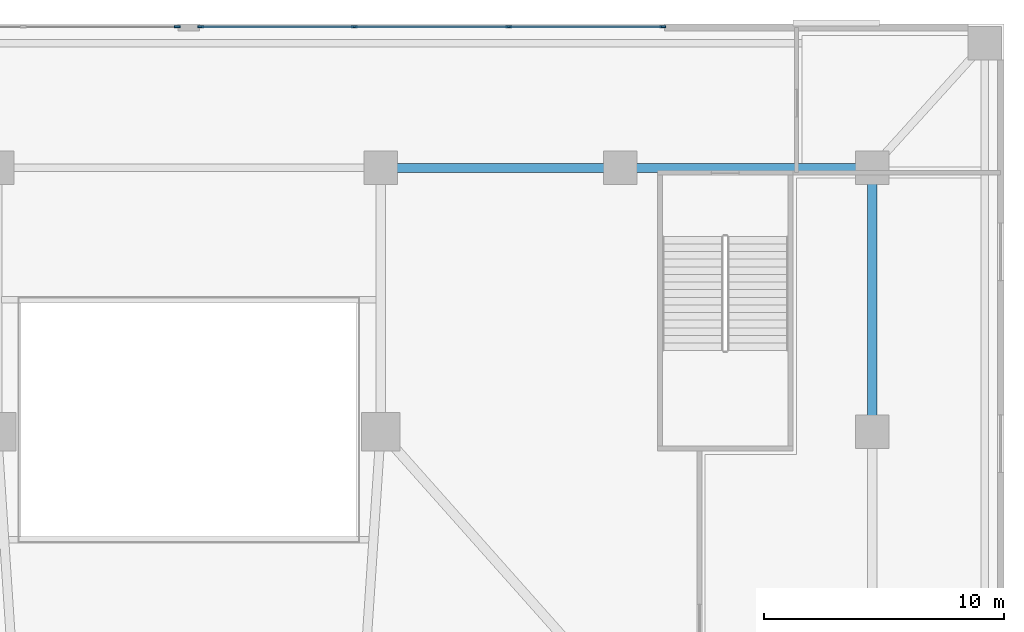
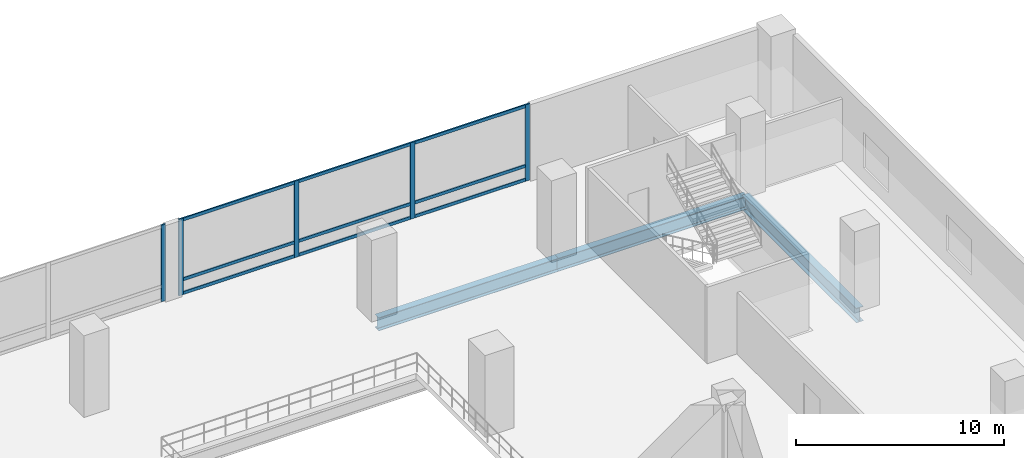
# One storey, part 4 of 15: 14 members, 3 beams, 2 elements without a shape of their own.
"""IFC4 building model written with IfcOpenShell, lengths in metres."""

from ifc_helpers import new_model, si_unit, direction, frame, origin, origin_2d, place, context, subcontext, project, spatial, rectangle, i_section, extrude, material, material_profile, profile_set, type_object, element, aggregate, save


model = new_model("IFC4")

# Units and contexts
model_context = context("Model", 3, precision=1e-05, world=origin(), true_north=direction((0.0, 1.0)))
body_context = subcontext(model_context, "Body", "Model", "MODEL_VIEW")
ifc_project = project(units=[si_unit("LENGTHUNIT", "METRE"), si_unit("AREAUNIT", "SQUARE_METRE"), si_unit("VOLUMEUNIT", "CUBIC_METRE"), si_unit("PLANEANGLEUNIT", "RADIAN"), si_unit("MASSUNIT", "GRAM", prefix="KILO")], contexts=[model_context])

# Site, building, storey
site_placement = place(None, origin())
site = spatial("IfcSite", under=ifc_project, at=site_placement, CompositionType="ELEMENT")
building_placement = place(site_placement, origin())
building = spatial("IfcBuilding", under=site, at=building_placement, Name="Solmavex Isthmus Hotel", CompositionType="ELEMENT")
storey_placement = place(building_placement, frame((0.0, 0.0, 11.39990234375)))
storey = spatial("IfcBuildingStorey", under=building, at=storey_placement, Name="L03", CompositionType="ELEMENT", Elevation=11.39990234375)

# Beams
ifc_material_1 = material(Name="Steel ASTM A992 Grade 50", Category="steel")
ifc_material_profile_1 = material_profile(ifc_material_1, i_section(OverallWidth=0.380615234375, OverallDepth=0.773193359375, WebThickness=0.0166015625, FlangeThickness=0.027099609375, FilletRadius=0.01904296875, at=origin_2d()), Name="W30X173")
ifc_profile_set_1 = profile_set([ifc_material_profile_1], Name="Steel ASTM A992 Grade 50")
beam_type_1 = type_object("IfcBeamType", Name="BM-BG-W30X173", PredefinedType="BEAM", material=ifc_profile_set_1)
beam_1_placement = place(storey_placement, frame((8.0, 17.5, -0.6865234375), z_axis=(1.0, 0.0, 0.0), x_axis=(0.0, 1.0, 0.0)))
element("IfcBeam", 1, at=beam_1_placement, inside=storey, type_object=beam_type_1, Name="Podium Primary Girder L03-G10", PredefinedType="BEAM", context=body_context, shape_type="SweptSolid", body=[
    extrude(i_section(OverallWidth=0.380615234375, OverallDepth=0.773193359375, WebThickness=0.0166015625, FlangeThickness=0.027099609375, FilletRadius=0.01904296875, at=origin_2d()), origin(), (0.0, 0.0, 1.0), 10.0),
])
beam_2_placement = place(storey_placement, frame((18.0, 17.5, -0.6865234375), z_axis=(1.0, 0.0, 0.0), x_axis=(0.0, 1.0, 0.0)))
element("IfcBeam", 2, at=beam_2_placement, inside=storey, type_object=beam_type_1, Name="Podium Primary Girder L03-G11", PredefinedType="BEAM", context=body_context, shape_type="SweptSolid", body=[
    extrude(i_section(OverallWidth=0.380615234375, OverallDepth=0.773193359375, WebThickness=0.0166015625, FlangeThickness=0.027099609375, FilletRadius=0.01904296875, at=origin_2d()), origin(), (0.0, 0.0, 1.0), 10.5),
])
ifc_material_profile_2 = material_profile(ifc_material_1, i_section(OverallWidth=0.39990234375, OverallDepth=0.85546875, WebThickness=0.018310546875, FlangeThickness=0.029296875, FilletRadius=0.020263671875, at=origin_2d()), Name="W33X201")
ifc_profile_set_2 = profile_set([ifc_material_profile_2], Name="Steel ASTM A992 Grade 50")
beam_type_2 = type_object("IfcBeamType", Name="BM-BG-W33X201", PredefinedType="BEAM", material=ifc_profile_set_2)
beam_3_placement = place(storey_placement, frame((28.5, 6.5, -0.7275390625), z_axis=(0.0, 1.0, 0.0), x_axis=(-1.0, 0.0, 0.0)))
element("IfcBeam", 3, at=beam_3_placement, inside=storey, type_object=beam_type_2, Name="Podium Primary Girder L03-G17", PredefinedType="BEAM", context=body_context, shape_type="SweptSolid", body=[
    extrude(i_section(OverallWidth=0.39990234375, OverallDepth=0.85546875, WebThickness=0.018310546875, FlangeThickness=0.029296875, FilletRadius=0.020263671875, at=origin_2d()), origin(), (0.0, 0.0, 1.0), 11.0),
])

# Curtain wall, member
ifc_material_2 = material(Name="Aluminium alloy 6063-T6", Category="aluminium")
curtain_wall_type = type_object("IfcCurtainWallType", Name="CW-SYS-01", PredefinedType="NOTDEFINED", material=ifc_material_2)
curtain_wall_1_placement = place(storey_placement, origin())
curtain_wall_1 = element("IfcCurtainWall", 4, at=curtain_wall_1_placement, inside=storey, type_object=curtain_wall_type, Name="Stick Curtain Wall CWL-L03-NW", PredefinedType="NOTDEFINED")
ifc_material_profile_3 = material_profile(ifc_material_2, rectangle(XDim=0.080078125, YDim=0.25, at=origin_2d()), Name="CWM-80X250")
ifc_profile_set_3 = profile_set([ifc_material_profile_3], Name="Aluminium alloy 6063-T6")
member_type_1 = type_object("IfcMemberType", Name="CW-SYS-01-MUL", PredefinedType="MULLION", material=ifc_profile_set_3)
member_1_placement = place(storey_placement, frame((-0.489990234375, 23.3798828125, 0.0), z_axis=(0.0, 0.0, 1.0), x_axis=(0.0, 1.0, 0.0)))
member_1 = element("IfcMember", 5, at=member_1_placement, type_object=member_type_1, Name="CW-01 mullion 4", PredefinedType="MULLION", context=body_context, shape_type="SweptSolid", body=[
    extrude(rectangle(XDim=0.080078125, YDim=0.25, at=origin_2d()), origin(), (0.0, 0.0, 1.0), 4.5),
])
aggregate(curtain_wall_1, [member_1])

# Curtain wall, members
curtain_wall_2_placement = place(storey_placement, origin())
curtain_wall_2 = element("IfcCurtainWall", 6, at=curtain_wall_2_placement, inside=storey, type_object=curtain_wall_type, Name="Stick Curtain Wall CWL-L03-NE", PredefinedType="NOTDEFINED")
member_2_placement = place(storey_placement, frame((0.489990234375, 23.3798828125, 0.0), z_axis=(0.0, 0.0, 1.0), x_axis=(0.0, 1.0, 0.0)))
member_2 = element("IfcMember", 7, at=member_2_placement, type_object=member_type_1, Name="CW-01 mullion 1", PredefinedType="MULLION", context=body_context, shape_type="SweptSolid", body=[
    extrude(rectangle(XDim=0.080078125, YDim=0.25, at=origin_2d()), origin(), (0.0, 0.0, 1.0), 4.5),
])
member_3_placement = place(storey_placement, frame((6.89990234375, 23.3798828125, 0.0), z_axis=(0.0, 0.0, 1.0), x_axis=(0.0, 1.0, 0.0)))
member_3 = element("IfcMember", 8, at=member_3_placement, type_object=member_type_1, Name="CW-01 mullion 2", PredefinedType="MULLION", context=body_context, shape_type="SweptSolid", body=[
    extrude(rectangle(XDim=0.080078125, YDim=0.25, at=origin_2d()), origin(), (0.0, 0.0, 1.0), 4.5),
])
member_4_placement = place(storey_placement, frame((13.35009765625, 23.3798828125, 0.0), z_axis=(0.0, 0.0, 1.0), x_axis=(0.0, 1.0, 0.0)))
member_4 = element("IfcMember", 9, at=member_4_placement, type_object=member_type_1, Name="CW-01 mullion 3", PredefinedType="MULLION", context=body_context, shape_type="SweptSolid", body=[
    extrude(rectangle(XDim=0.080078125, YDim=0.25, at=origin_2d()), origin(), (0.0, 0.0, 1.0), 4.5),
])
member_5_placement = place(storey_placement, frame((19.760009765625, 23.3798828125, 0.0), z_axis=(0.0, 0.0, 1.0), x_axis=(0.0, 1.0, 0.0)))
member_5 = element("IfcMember", 10, at=member_5_placement, type_object=member_type_1, Name="CW-01 mullion 4", PredefinedType="MULLION", context=body_context, shape_type="SweptSolid", body=[
    extrude(rectangle(XDim=0.080078125, YDim=0.25, at=origin_2d()), origin(), (0.0, 0.0, 1.0), 4.5),
])
ifc_material_profile_4 = material_profile(ifc_material_2, rectangle(XDim=0.080078125, YDim=0.179931640625, at=origin_2d()), Name="CWT-80X180")
ifc_profile_set_4 = profile_set([ifc_material_profile_4], Name="Aluminium alloy 6063-T6")
member_type_2 = type_object("IfcMemberType", Name="CW-SYS-01-TRN", PredefinedType="USERDEFINED", material=ifc_profile_set_4)
member_6_placement = place(storey_placement, frame((0.530029296875, 23.3798828125, 0.090087890625), z_axis=(1.0, 0.0, 0.0), x_axis=(0.0, 1.0, 0.0)))
member_6 = element("IfcMember", 11, at=member_6_placement, type_object=member_type_2, Name="CW-01 transom 1.1", ObjectType="TRANSOM", PredefinedType="USERDEFINED", context=body_context, shape_type="SweptSolid", body=[
    extrude(rectangle(XDim=0.080078125, YDim=0.179931640625, at=origin_2d()), origin(), (0.0, 0.0, 1.0), 6.330078125),
])
member_7_placement = place(storey_placement, frame((0.530029296875, 23.3798828125, 0.900146484375), z_axis=(1.0, 0.0, 0.0), x_axis=(0.0, 1.0, 0.0)))
member_7 = element("IfcMember", 12, at=member_7_placement, type_object=member_type_2, Name="CW-01 transom 1.2", ObjectType="TRANSOM", PredefinedType="USERDEFINED", context=body_context, shape_type="SweptSolid", body=[
    extrude(rectangle(XDim=0.080078125, YDim=0.179931640625, at=origin_2d()), origin(), (0.0, 0.0, 1.0), 6.330078125),
])
member_8_placement = place(storey_placement, frame((0.530029296875, 23.3798828125, 4.41015625), z_axis=(1.0, 0.0, 0.0), x_axis=(0.0, 1.0, 0.0)))
member_8 = element("IfcMember", 13, at=member_8_placement, type_object=member_type_2, Name="CW-01 transom 1.3", ObjectType="TRANSOM", PredefinedType="USERDEFINED", context=body_context, shape_type="SweptSolid", body=[
    extrude(rectangle(XDim=0.080078125, YDim=0.179931640625, at=origin_2d()), origin(), (0.0, 0.0, 1.0), 6.330078125),
])
member_9_placement = place(storey_placement, frame((6.93994140625, 23.3798828125, 0.090087890625), z_axis=(1.0, 0.0, 0.0), x_axis=(0.0, 1.0, 0.0)))
member_9 = element("IfcMember", 14, at=member_9_placement, type_object=member_type_2, Name="CW-01 transom 2.1", ObjectType="TRANSOM", PredefinedType="USERDEFINED", context=body_context, shape_type="SweptSolid", body=[
    extrude(rectangle(XDim=0.080078125, YDim=0.179931640625, at=origin_2d()), origin(), (0.0, 0.0, 1.0), 6.3701171875),
])
member_10_placement = place(storey_placement, frame((6.93994140625, 23.3798828125, 0.900146484375), z_axis=(1.0, 0.0, 0.0), x_axis=(0.0, 1.0, 0.0)))
member_10 = element("IfcMember", 15, at=member_10_placement, type_object=member_type_2, Name="CW-01 transom 2.2", ObjectType="TRANSOM", PredefinedType="USERDEFINED", context=body_context, shape_type="SweptSolid", body=[
    extrude(rectangle(XDim=0.080078125, YDim=0.179931640625, at=origin_2d()), origin(), (0.0, 0.0, 1.0), 6.3701171875),
])
member_11_placement = place(storey_placement, frame((6.93994140625, 23.3798828125, 4.41015625), z_axis=(1.0, 0.0, 0.0), x_axis=(0.0, 1.0, 0.0)))
member_11 = element("IfcMember", 16, at=member_11_placement, type_object=member_type_2, Name="CW-01 transom 2.3", ObjectType="TRANSOM", PredefinedType="USERDEFINED", context=body_context, shape_type="SweptSolid", body=[
    extrude(rectangle(XDim=0.080078125, YDim=0.179931640625, at=origin_2d()), origin(), (0.0, 0.0, 1.0), 6.3701171875),
])
member_12_placement = place(storey_placement, frame((13.389892578125, 23.3798828125, 0.090087890625), z_axis=(1.0, 0.0, 0.0), x_axis=(0.0, 1.0, 0.0)))
member_12 = element("IfcMember", 17, at=member_12_placement, type_object=member_type_2, Name="CW-01 transom 3.1", ObjectType="TRANSOM", PredefinedType="USERDEFINED", context=body_context, shape_type="SweptSolid", body=[
    extrude(rectangle(XDim=0.080078125, YDim=0.179931640625, at=origin_2d()), origin(), (0.0, 0.0, 1.0), 6.330078125),
])
member_13_placement = place(storey_placement, frame((13.389892578125, 23.3798828125, 0.900146484375), z_axis=(1.0, 0.0, 0.0), x_axis=(0.0, 1.0, 0.0)))
member_13 = element("IfcMember", 18, at=member_13_placement, type_object=member_type_2, Name="CW-01 transom 3.2", ObjectType="TRANSOM", PredefinedType="USERDEFINED", context=body_context, shape_type="SweptSolid", body=[
    extrude(rectangle(XDim=0.080078125, YDim=0.179931640625, at=origin_2d()), origin(), (0.0, 0.0, 1.0), 6.330078125),
])
member_14_placement = place(storey_placement, frame((13.389892578125, 23.3798828125, 4.41015625), z_axis=(1.0, 0.0, 0.0), x_axis=(0.0, 1.0, 0.0)))
member_14 = element("IfcMember", 19, at=member_14_placement, type_object=member_type_2, Name="CW-01 transom 3.3", ObjectType="TRANSOM", PredefinedType="USERDEFINED", context=body_context, shape_type="SweptSolid", body=[
    extrude(rectangle(XDim=0.080078125, YDim=0.179931640625, at=origin_2d()), origin(), (0.0, 0.0, 1.0), 6.330078125),
])
aggregate(curtain_wall_2, [member_2, member_3, member_4, member_5, member_6, member_7, member_8, member_9, member_10, member_11, member_12, member_13, member_14])

save(model, "model.ifc")
